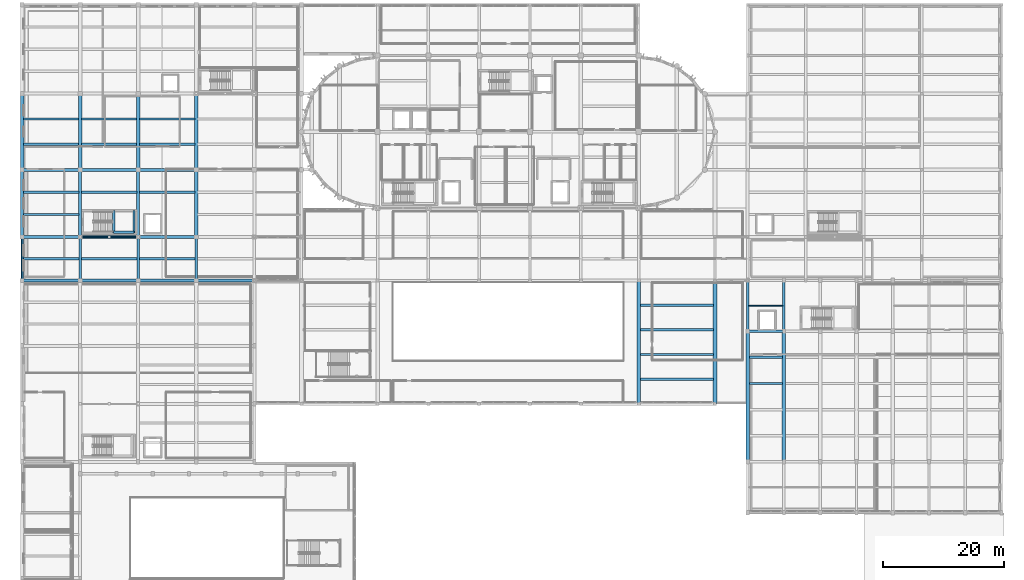
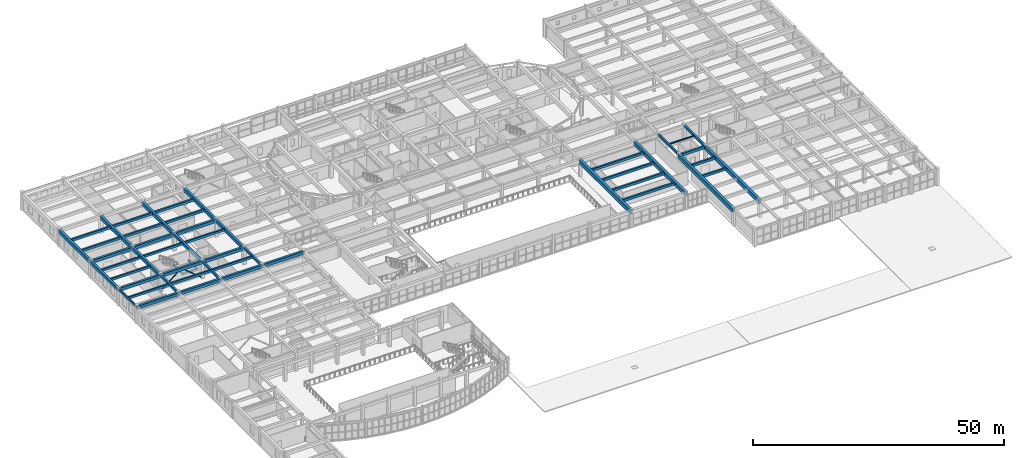
# One storey, part 23 of 92: 52 beams, 2 members.
"""IFC4 building model written with IfcOpenShell, lengths in metres."""

from ifc_helpers import new_model, si_unit, direction, frame, origin, origin_2d, place, context, subcontext, project, spatial, rectangle, hollow_rectangle, i_section, extrude, material, material_profile, profile_set, type_object, element, save


model = new_model("IFC4")

# Units and contexts
model_context = context("Model", 3, precision=1e-05, world=origin(), true_north=direction((0.0, 1.0)))
body_context = subcontext(model_context, "Body", "Model", "MODEL_VIEW")
ifc_project = project(units=[si_unit("LENGTHUNIT", "METRE"), si_unit("AREAUNIT", "SQUARE_METRE"), si_unit("VOLUMEUNIT", "CUBIC_METRE"), si_unit("PLANEANGLEUNIT", "RADIAN"), si_unit("MASSUNIT", "GRAM", prefix="KILO")], contexts=[model_context])

# Site, building, storey
site_placement = place(None, origin())
site = spatial("IfcSite", under=ifc_project, at=site_placement, CompositionType="ELEMENT")
building_placement = place(site_placement, origin())
building = spatial("IfcBuilding", under=site, at=building_placement, Name="Tarnavel Promenade Courthouse", CompositionType="ELEMENT")
storey_placement = place(building_placement, frame((0.0, 0.0, 5.39990234375)))
storey = spatial("IfcBuildingStorey", under=building, at=storey_placement, Name="L02", CompositionType="ELEMENT", Elevation=5.39990234375)

# Beams
ifc_material_1 = material(Name="Concrete C40/50", Category="concrete")
ifc_material_profile_1 = material_profile(ifc_material_1, rectangle(XDim=0.35009765625, YDim=0.550048828125, at=origin_2d()), Name="PT 350x550")
ifc_profile_set_1 = profile_set([ifc_material_profile_1], Name="Concrete C40/50")
beam_type_1 = type_object("IfcBeamType", Name="Concrete C40/50 BM-PT-350x550 (PT 350x550)", PredefinedType="JOIST", material=ifc_profile_set_1)
beam_1_placement = place(storey_placement, frame((0.1201171875, 70.800048828125, 3.920166015625), z_axis=(1.0, 0.0, 0.0), x_axis=(0.0, 1.0, 0.0)))
element("IfcBeam", 1, at=beam_1_placement, inside=storey, type_object=beam_type_1, Name="L02 Secondary Floor Rib 1390", PredefinedType="JOIST", context=body_context, shape_type="SweptSolid", body=[
    extrude(rectangle(XDim=0.35009765625, YDim=0.550048828125, at=origin_2d()), origin(), (0.0, 0.0, 1.0), 9.309814453125),
])
beam_2_placement = place(storey_placement, frame((9.77001953125, 70.800048828125, 3.920166015625), z_axis=(1.0, 0.0, 0.0), x_axis=(0.0, 1.0, 0.0)))
element("IfcBeam", 2, at=beam_2_placement, inside=storey, type_object=beam_type_1, Name="L02 Secondary Floor Rib 1391", PredefinedType="JOIST", context=body_context, shape_type="SweptSolid", body=[
    extrude(rectangle(XDim=0.35009765625, YDim=0.550048828125, at=origin_2d()), origin(), (0.0, 0.0, 1.0), 9.260009765625),
])
beam_3_placement = place(storey_placement, frame((19.3701171875, 70.800048828125, 3.920166015625), z_axis=(1.0, 0.0, 0.0), x_axis=(0.0, 1.0, 0.0)))
element("IfcBeam", 3, at=beam_3_placement, inside=storey, type_object=beam_type_1, Name="L02 Secondary Floor Rib 1392", PredefinedType="JOIST", context=body_context, shape_type="SweptSolid", body=[
    extrude(rectangle(XDim=0.35009765625, YDim=0.550048828125, at=origin_2d()), origin(), (0.0, 0.0, 1.0), 9.259765625),
])
for number, where, z_axis, x_axis, name in (
    (4, (0.219970703125, 78.10009765625, 3.920166015625), (1.0, 0.0, 0.0), (0.0, 1.0, 0.0), "L02 Secondary Floor Rib 1407"),
    (5, (0.219970703125, 81.800048828125, 3.920166015625), (1.0, 0.0, 0.0), (0.0, 1.0, 0.0), "L02 Secondary Floor Rib 1408"),
    (6, (9.820068359375, 81.800048828125, 3.920166015625), (1.0, 0.0, 0.0), (0.0, 1.0, 0.0), "L02 Secondary Floor Rib 1409"),
):
    element("IfcBeam", number, at=place(storey_placement, frame(where, z_axis=z_axis, x_axis=x_axis)), inside=storey, type_object=beam_type_1, Name=name, PredefinedType="JOIST", context=body_context, shape_type="SweptSolid", body=[
        extrude(rectangle(XDim=0.35009765625, YDim=0.550048828125, at=origin_2d()), origin(), (0.0, 0.0, 1.0), 9.159912109375),
    ])
beam_4_placement = place(storey_placement, frame((19.419921875, 81.800048828125, 3.920166015625), z_axis=(1.0, 0.0, 0.0), x_axis=(0.0, 1.0, 0.0)))
element("IfcBeam", 7, at=beam_4_placement, inside=storey, type_object=beam_type_1, Name="L02 Secondary Floor Rib 1410", PredefinedType="JOIST", context=body_context, shape_type="SweptSolid", body=[
    extrude(rectangle(XDim=0.35009765625, YDim=0.550048828125, at=origin_2d()), origin(), (0.0, 0.0, 1.0), 9.16015625),
])
ifc_material_profile_2 = material_profile(ifc_material_1, rectangle(XDim=0.39990234375, YDim=0.60009765625, at=origin_2d()), Name="PT 400x600")
ifc_profile_set_2 = profile_set([ifc_material_profile_2], Name="Concrete C40/50")
beam_type_2 = type_object("IfcBeamType", Name="Concrete C40/50 BM-PT-400x600 (PT 400x600)", PredefinedType="JOIST", material=ifc_profile_set_2)
for number, where, z_axis, x_axis, name in (
    (8, (0.2451171875, 89.699951171875, 3.89501953125), (1.0, 0.0, 0.0), (0.0, 1.0, 0.0), "L02 Secondary Floor Rib 1422"),
    (9, (0.2451171875, 93.89990234375, 3.89501953125), (1.0, 0.0, 0.0), (0.0, 1.0, 0.0), "L02 Secondary Floor Rib 1423"),
):
    element("IfcBeam", number, at=place(storey_placement, frame(where, z_axis=z_axis, x_axis=x_axis)), inside=storey, type_object=beam_type_2, Name=name, PredefinedType="JOIST", context=body_context, shape_type="SweptSolid", body=[
        extrude(rectangle(XDim=0.39990234375, YDim=0.60009765625, at=origin_2d()), origin(), (0.0, 0.0, 1.0), 9.10986328125),
    ])
for number, where, z_axis, x_axis, name in (
    (10, (9.844970703125, 89.699951171875, 3.89501953125), (1.0, 0.0, 0.0), (0.0, 1.0, 0.0), "L02 Secondary Floor Rib 1424"),
    (11, (9.844970703125, 93.89990234375, 3.89501953125), (1.0, 0.0, 0.0), (0.0, 1.0, 0.0), "L02 Secondary Floor Rib 1425"),
):
    element("IfcBeam", number, at=place(storey_placement, frame(where, z_axis=z_axis, x_axis=x_axis)), inside=storey, type_object=beam_type_2, Name=name, PredefinedType="JOIST", context=body_context, shape_type="SweptSolid", body=[
        extrude(rectangle(XDim=0.39990234375, YDim=0.60009765625, at=origin_2d()), origin(), (0.0, 0.0, 1.0), 9.110107421875),
    ])
for number, where, z_axis, x_axis, name in (
    (12, (19.445068359375, 89.699951171875, 3.89501953125), (1.0, 0.0, 0.0), (0.0, 1.0, 0.0), "L02 Secondary Floor Rib 1426"),
    (13, (19.445068359375, 93.89990234375, 3.89501953125), (1.0, 0.0, 0.0), (0.0, 1.0, 0.0), "L02 Secondary Floor Rib 1427"),
):
    element("IfcBeam", number, at=place(storey_placement, frame(where, z_axis=z_axis, x_axis=x_axis)), inside=storey, type_object=beam_type_2, Name=name, PredefinedType="JOIST", context=body_context, shape_type="SweptSolid", body=[
        extrude(rectangle(XDim=0.39990234375, YDim=0.60009765625, at=origin_2d()), origin(), (0.0, 0.0, 1.0), 9.10986328125),
    ])
for number, where, z_axis, x_axis, name in (
    (14, (102.27001953125, 50.8798828125, 3.89501953125), (1.0, 0.0, 0.0), (0.0, 1.0, 0.0), "L02 Secondary Floor Rib 1457"),
    (15, (102.27001953125, 54.9599609375, 3.89501953125), (1.0, 0.0, 0.0), (0.0, 1.0, 0.0), "L02 Secondary Floor Rib 1458"),
    (16, (102.27001953125, 59.0400390625, 3.89501953125), (1.0, 0.0, 0.0), (0.0, 1.0, 0.0), "L02 Secondary Floor Rib 1459"),
    (17, (102.27001953125, 63.1201171875, 3.89501953125), (1.0, 0.0, 0.0), (0.0, 1.0, 0.0), "L02 Secondary Floor Rib 1460"),
):
    element("IfcBeam", number, at=place(storey_placement, frame(where, z_axis=z_axis, x_axis=x_axis)), inside=storey, type_object=beam_type_2, Name=name, PredefinedType="JOIST", context=body_context, shape_type="SweptSolid", body=[
        extrude(rectangle(XDim=0.39990234375, YDim=0.60009765625, at=origin_2d()), origin(), (0.0, 0.0, 1.0), 12.06005859375),
    ])
for number, where, z_axis, x_axis, name in (
    (18, (120.27001953125, 50.159912109375, 3.93505859375), (1.0, 0.0, 0.0), (0.0, 1.0, 0.0), "L02 Secondary Floor Rib 1481"),
    (19, (120.27001953125, 54.47998046875, 3.93505859375), (1.0, 0.0, 0.0), (0.0, 1.0, 0.0), "L02 Secondary Floor Rib 1482"),
):
    element("IfcBeam", number, at=place(storey_placement, frame(where, z_axis=z_axis, x_axis=x_axis)), inside=storey, type_object=beam_type_2, Name=name, PredefinedType="JOIST", context=body_context, shape_type="SweptSolid", body=[
        extrude(rectangle(XDim=0.39990234375, YDim=0.60009765625, at=origin_2d()), origin(), (0.0, 0.0, 1.0), 5.4599609375),
    ])
ifc_material_profile_3 = material_profile(ifc_material_1, rectangle(XDim=0.5, YDim=0.800048828125, at=origin_2d()), Name="PT 500x800")
ifc_profile_set_3 = profile_set([ifc_material_profile_3], Name="Concrete C40/50")
beam_type_3 = type_object("IfcBeamType", Name="Concrete C40/50 BM-PT-500x800 (PT 500x800)", PredefinedType="T_BEAM", material=ifc_profile_set_3)
for number, where, z_axis, x_axis, name in (
    (20, (0.0, 74.39990234375, 3.795166015625), (0.0, 1.0, 0.0), (-1.0, 0.0, 0.0), "L02 Transverse Girder 1233"),
    (21, (9.60009765625, 74.39990234375, 3.795166015625), (0.0, 1.0, 0.0), (-1.0, 0.0, 0.0), "L02 Transverse Girder 1245"),
    (22, (19.199951171875, 74.39990234375, 3.795166015625), (0.0, 1.0, 0.0), (-1.0, 0.0, 0.0), "L02 Transverse Girder 1252"),
    (23, (28.800048828125, 74.39990234375, 3.795166015625), (0.0, 1.0, 0.0), (-1.0, 0.0, 0.0), "L02 Transverse Girder 1259"),
):
    element("IfcBeam", number, at=place(storey_placement, frame(where, z_axis=z_axis, x_axis=x_axis)), inside=storey, type_object=beam_type_3, Name=name, PredefinedType="T_BEAM", context=body_context, shape_type="SweptSolid", body=[
        extrude(rectangle(XDim=0.5, YDim=0.800048828125, at=origin_2d()), origin(), (0.0, 0.0, 1.0), 11.10009765625),
    ])
ifc_material_profile_4 = material_profile(ifc_material_1, rectangle(XDim=0.550048828125, YDim=0.85009765625, at=origin_2d()), Name="PT 550x850")
ifc_profile_set_4 = profile_set([ifc_material_profile_4], Name="Concrete C40/50")
beam_type_4 = type_object("IfcBeamType", Name="Concrete C40/50 BM-PT-550x850 (PT 550x850)", PredefinedType="T_BEAM", material=ifc_profile_set_4)
for number, where, z_axis, x_axis, name in (
    (24, (0.0, 85.5, 3.77001953125), (0.0, 1.0, 0.0), (-1.0, 0.0, 0.0), "L02 Transverse Girder 1234"),
    (25, (9.60009765625, 85.5, 3.77001953125), (0.0, 1.0, 0.0), (-1.0, 0.0, 0.0), "L02 Transverse Girder 1246"),
    (26, (19.199951171875, 85.5, 3.77001953125), (0.0, 1.0, 0.0), (-1.0, 0.0, 0.0), "L02 Transverse Girder 1253"),
    (27, (28.800048828125, 85.5, 3.77001953125), (0.0, 1.0, 0.0), (-1.0, 0.0, 0.0), "L02 Transverse Girder 1260"),
):
    element("IfcBeam", number, at=place(storey_placement, frame(where, z_axis=z_axis, x_axis=x_axis)), inside=storey, type_object=beam_type_4, Name=name, PredefinedType="T_BEAM", context=body_context, shape_type="SweptSolid", body=[
        extrude(rectangle(XDim=0.550048828125, YDim=0.85009765625, at=origin_2d()), origin(), (0.0, 0.0, 1.0), 12.60009765625),
    ])
ifc_material_profile_5 = material_profile(ifc_material_1, rectangle(XDim=0.60009765625, YDim=0.949951171875, at=origin_2d()), Name="PT 600x950")
ifc_profile_set_5 = profile_set([ifc_material_profile_5], Name="Concrete C40/50")
beam_type_5 = type_object("IfcBeamType", Name="Concrete C40/50 BM-PT-600x950 (PT 600x950)", PredefinedType="T_BEAM", material=ifc_profile_set_5)
for number, where, z_axis, x_axis, name in (
    (28, (102.0, 46.800048828125, 3.72021484375), (0.0, 1.0, 0.0), (-1.0, 0.0, 0.0), "L02 Transverse Girder 1304"),
    (29, (114.60009765625, 46.800048828125, 3.72021484375), (0.0, 1.0, 0.0), (-1.0, 0.0, 0.0), "L02 Transverse Girder 1312"),
):
    element("IfcBeam", number, at=place(storey_placement, frame(where, z_axis=z_axis, x_axis=x_axis)), inside=storey, type_object=beam_type_5, Name=name, PredefinedType="T_BEAM", context=body_context, shape_type="SweptSolid", body=[
        extrude(rectangle(XDim=0.60009765625, YDim=0.949951171875, at=origin_2d()), origin(), (0.0, 0.0, 1.0), 20.39990234375),
    ])
for number, where, z_axis, x_axis, name in (
    (30, (120.0, 37.199951171875, 3.72021484375), (0.0, 1.0, 0.0), (-1.0, 0.0, 0.0), "L02 Transverse Girder 1316"),
    (31, (126.0, 37.199951171875, 3.760009765625), (0.0, 1.0, 0.0), (-1.0, 0.0, 0.0), "L02 Transverse Girder 1324"),
):
    element("IfcBeam", number, at=place(storey_placement, frame(where, z_axis=z_axis, x_axis=x_axis)), inside=storey, type_object=beam_type_5, Name=name, PredefinedType="T_BEAM", context=body_context, shape_type="SweptSolid", body=[
        extrude(rectangle(XDim=0.60009765625, YDim=0.949951171875, at=origin_2d()), origin(), (0.0, 0.0, 1.0), 21.60009765625),
    ])
ifc_material_profile_6 = material_profile(ifc_material_1, rectangle(XDim=0.35009765625, YDim=0.449951171875, at=origin_2d()), Name="RC 350x450")
ifc_profile_set_6 = profile_set([ifc_material_profile_6], Name="Concrete C40/50")
beam_type_6 = type_object("IfcBeamType", Name="Concrete C40/50 BM-RC-350x450 (RC 350x450)", PredefinedType="BEAM", material=ifc_profile_set_6)
for number, where, z_axis, x_axis, name in (
    (32, (15.14990234375, 75.02001953125, 1.820068359375), (0.0, 1.0, 0.0), (-1.0, 0.0, 0.0), "L02 ST-04 Mid-Landing Support Beam Near"),
    (33, (18.52001953125, 75.02001953125, 1.820068359375), (0.0, 1.0, 0.0), (-1.0, 0.0, 0.0), "L02 ST-04 Mid-Landing Support Beam Far"),
):
    element("IfcBeam", number, at=place(storey_placement, frame(where, z_axis=z_axis, x_axis=x_axis)), inside=storey, type_object=beam_type_6, Name=name, PredefinedType="BEAM", context=body_context, shape_type="SweptSolid", body=[
        extrude(rectangle(XDim=0.35009765625, YDim=0.449951171875, at=origin_2d()), origin(), (0.0, 0.0, 1.0), 3.719970703125),
    ])
beam_5_placement = place(storey_placement, frame((15.14990234375, 75.169921875, 1.820068359375), z_axis=(1.0, 0.0, 0.0), x_axis=(0.0, 1.0, 0.0)))
element("IfcBeam", 34, at=beam_5_placement, inside=storey, type_object=beam_type_6, Name="L02 ST-04 Mid-Landing Edge Trimmer", PredefinedType="BEAM", context=body_context, shape_type="SweptSolid", body=[
    extrude(rectangle(XDim=0.35009765625, YDim=0.449951171875, at=origin_2d()), origin(), (0.0, 0.0, 1.0), 3.3701171875),
])
ifc_material_profile_7 = material_profile(ifc_material_1, rectangle(XDim=0.39990234375, YDim=0.5, at=origin_2d()), Name="RC 400x500")
ifc_profile_set_7 = profile_set([ifc_material_profile_7], Name="Concrete C40/50")
beam_type_7 = type_object("IfcBeamType", Name="Concrete C40/50 BM-RC-400x500 (RC 400x500)", PredefinedType="BEAM", material=ifc_profile_set_7)
for number, where, z_axis, x_axis, name in (
    (35, (9.60009765625, 67.199951171875, 3.945068359375), (0.0, 1.0, 0.0), (-1.0, 0.0, 0.0), "L02 Transverse Girder 1244"),
    (36, (19.199951171875, 67.199951171875, 3.945068359375), (0.0, 1.0, 0.0), (-1.0, 0.0, 0.0), "L02 Transverse Girder 1251"),
    (37, (28.800048828125, 67.199951171875, 3.945068359375), (0.0, 1.0, 0.0), (-1.0, 0.0, 0.0), "L02 Transverse Girder 1258"),
):
    element("IfcBeam", number, at=place(storey_placement, frame(where, z_axis=z_axis, x_axis=x_axis)), inside=storey, type_object=beam_type_7, Name=name, PredefinedType="BEAM", context=body_context, shape_type="SweptSolid", body=[
        extrude(rectangle(XDim=0.39990234375, YDim=0.5, at=origin_2d()), origin(), (0.0, 0.0, 1.0), 7.199951171875),
    ])
for number, where, z_axis, x_axis, name in (
    (38, (120.0, 58.800048828125, 3.945068359375), (0.0, 1.0, 0.0), (-1.0, 0.0, 0.0), "L02 Transverse Girder 1317"),
    (39, (126.0, 58.800048828125, 3.985107421875), (0.0, 1.0, 0.0), (-1.0, 0.0, 0.0), "L02 Transverse Girder 1325"),
):
    element("IfcBeam", number, at=place(storey_placement, frame(where, z_axis=z_axis, x_axis=x_axis)), inside=storey, type_object=beam_type_7, Name=name, PredefinedType="BEAM", context=body_context, shape_type="SweptSolid", body=[
        extrude(rectangle(XDim=0.39990234375, YDim=0.5, at=origin_2d()), origin(), (0.0, 0.0, 1.0), 8.39990234375),
    ])
ifc_material_profile_8 = material_profile(ifc_material_1, rectangle(XDim=0.39990234375, YDim=0.64990234375, at=origin_2d()), Name="RC 400x650")
ifc_profile_set_8 = profile_set([ifc_material_profile_8], Name="Concrete C40/50")
beam_type_8 = type_object("IfcBeamType", Name="Concrete C40/50 BM-RC-400x650 (RC 400x650)", PredefinedType="BEAM", material=ifc_profile_set_8)
beam_6_placement = place(storey_placement, frame((120.0, 58.800048828125, 3.91015625), z_axis=(1.0, 0.0, 0.0), x_axis=(0.0, 1.0, 0.0)))
element("IfcBeam", 40, at=beam_6_placement, inside=storey, type_object=beam_type_8, Name="L02 Primary Longitudinal Beam 1120", PredefinedType="BEAM", context=body_context, shape_type="SweptSolid", body=[
    extrude(rectangle(XDim=0.39990234375, YDim=0.64990234375, at=origin_2d()), origin(), (0.0, 0.0, 1.0), 6.0),
])
ifc_material_profile_9 = material_profile(ifc_material_1, rectangle(XDim=0.5, YDim=0.75, at=origin_2d()), Name="RC 500x750")
ifc_profile_set_9 = profile_set([ifc_material_profile_9], Name="Concrete C40/50")
beam_type_9 = type_object("IfcBeamType", Name="Concrete C40/50 BM-RC-500x750 (RC 500x750)", PredefinedType="T_BEAM", material=ifc_profile_set_9)
beam_7_placement = place(storey_placement, frame((0.0, 67.199951171875, 3.820068359375), z_axis=(1.0, 0.0, 0.0), x_axis=(0.0, 1.0, 0.0)))
element("IfcBeam", 41, at=beam_7_placement, inside=storey, type_object=beam_type_9, Name="L02 Primary Longitudinal Beam 1127", PredefinedType="T_BEAM", context=body_context, shape_type="SweptSolid", body=[
    extrude(rectangle(XDim=0.5, YDim=0.75, at=origin_2d()), origin(), (0.0, 0.0, 1.0), 9.60009765625),
])
beam_8_placement = place(storey_placement, frame((9.60009765625, 67.199951171875, 3.820068359375), z_axis=(1.0, 0.0, 0.0), x_axis=(0.0, 1.0, 0.0)))
element("IfcBeam", 42, at=beam_8_placement, inside=storey, type_object=beam_type_9, Name="L02 Primary Longitudinal Beam 1128", PredefinedType="T_BEAM", context=body_context, shape_type="SweptSolid", body=[
    extrude(rectangle(XDim=0.5, YDim=0.75, at=origin_2d()), origin(), (0.0, 0.0, 1.0), 9.599853515625),
])
beam_9_placement = place(storey_placement, frame((19.199951171875, 67.199951171875, 3.820068359375), z_axis=(1.0, 0.0, 0.0), x_axis=(0.0, 1.0, 0.0)))
element("IfcBeam", 43, at=beam_9_placement, inside=storey, type_object=beam_type_9, Name="L02 Primary Longitudinal Beam 1129", PredefinedType="T_BEAM", context=body_context, shape_type="SweptSolid", body=[
    extrude(rectangle(XDim=0.5, YDim=0.75, at=origin_2d()), origin(), (0.0, 0.0, 1.0), 9.60009765625),
])
beam_10_placement = place(storey_placement, frame((28.800048828125, 67.199951171875, 3.820068359375), z_axis=(1.0, 0.0, 0.0), x_axis=(0.0, 1.0, 0.0)))
element("IfcBeam", 44, at=beam_10_placement, inside=storey, type_object=beam_type_9, Name="L02 Primary Longitudinal Beam 1130", PredefinedType="T_BEAM", context=body_context, shape_type="SweptSolid", body=[
    extrude(rectangle(XDim=0.5, YDim=0.75, at=origin_2d()), origin(), (0.0, 0.0, 1.0), 9.599853515625),
])
beam_11_placement = place(storey_placement, frame((0.0, 74.39990234375, 3.820068359375), z_axis=(1.0, 0.0, 0.0), x_axis=(0.0, 1.0, 0.0)))
element("IfcBeam", 45, at=beam_11_placement, inside=storey, type_object=beam_type_9, Name="L02 Primary Longitudinal Beam 1150", PredefinedType="T_BEAM", context=body_context, shape_type="SweptSolid", body=[
    extrude(rectangle(XDim=0.5, YDim=0.75, at=origin_2d()), origin(), (0.0, 0.0, 1.0), 9.60009765625),
])
beam_12_placement = place(storey_placement, frame((9.60009765625, 74.39990234375, 3.820068359375), z_axis=(1.0, 0.0, 0.0), x_axis=(0.0, 1.0, 0.0)))
element("IfcBeam", 46, at=beam_12_placement, inside=storey, type_object=beam_type_9, Name="L02 Primary Longitudinal Beam 1151", PredefinedType="T_BEAM", context=body_context, shape_type="SweptSolid", body=[
    extrude(rectangle(XDim=0.5, YDim=0.75, at=origin_2d()), origin(), (0.0, 0.0, 1.0), 9.599853515625),
])
for number, where, z_axis, x_axis, name in (
    (47, (19.199951171875, 74.39990234375, 3.820068359375), (1.0, 0.0, 0.0), (0.0, 1.0, 0.0), "L02 Primary Longitudinal Beam 1152"),
    (48, (0.0, 85.5, 3.820068359375), (1.0, 0.0, 0.0), (0.0, 1.0, 0.0), "L02 Primary Longitudinal Beam 1172"),
):
    element("IfcBeam", number, at=place(storey_placement, frame(where, z_axis=z_axis, x_axis=x_axis)), inside=storey, type_object=beam_type_9, Name=name, PredefinedType="T_BEAM", context=body_context, shape_type="SweptSolid", body=[
        extrude(rectangle(XDim=0.5, YDim=0.75, at=origin_2d()), origin(), (0.0, 0.0, 1.0), 9.60009765625),
    ])
beam_13_placement = place(storey_placement, frame((9.60009765625, 85.5, 3.820068359375), z_axis=(1.0, 0.0, 0.0), x_axis=(0.0, 1.0, 0.0)))
element("IfcBeam", 49, at=beam_13_placement, inside=storey, type_object=beam_type_9, Name="L02 Primary Longitudinal Beam 1173", PredefinedType="T_BEAM", context=body_context, shape_type="SweptSolid", body=[
    extrude(rectangle(XDim=0.5, YDim=0.75, at=origin_2d()), origin(), (0.0, 0.0, 1.0), 9.599853515625),
])
beam_14_placement = place(storey_placement, frame((19.199951171875, 85.5, 3.820068359375), z_axis=(1.0, 0.0, 0.0), x_axis=(0.0, 1.0, 0.0)))
element("IfcBeam", 50, at=beam_14_placement, inside=storey, type_object=beam_type_9, Name="L02 Primary Longitudinal Beam 1174", PredefinedType="T_BEAM", context=body_context, shape_type="SweptSolid", body=[
    extrude(rectangle(XDim=0.5, YDim=0.75, at=origin_2d()), origin(), (0.0, 0.0, 1.0), 9.60009765625),
])
ifc_material_profile_10 = material_profile(ifc_material_1, rectangle(XDim=0.300048828125, YDim=0.5, at=origin_2d()), Name="RC 300x500")
ifc_profile_set_10 = profile_set([ifc_material_profile_10], Name="Concrete C40/50")
beam_type_10 = type_object("IfcBeamType", Name="Concrete C40/50 BM-SP-300x500 (RC 300x500)", PredefinedType="SPANDREL", material=ifc_profile_set_10)
beam_15_placement = place(storey_placement, frame((0.0, 67.199951171875, 3.945068359375), z_axis=(0.0, 1.0, 0.0), x_axis=(-1.0, 0.0, 0.0)))
element("IfcBeam", 51, at=beam_15_placement, inside=storey, type_object=beam_type_10, Name="L02 Transverse Girder 1232", PredefinedType="SPANDREL", context=body_context, shape_type="SweptSolid", body=[
    extrude(rectangle(XDim=0.300048828125, YDim=0.5, at=origin_2d()), origin(), (0.0, 0.0, 1.0), 7.199951171875),
])
ifc_material_2 = material(Name="Steel S355J2", Category="steel")
ifc_material_profile_11 = material_profile(ifc_material_2, i_section(OverallWidth=0.159912109375, OverallDepth=0.330078125, WebThickness=0.007568359375, FlangeThickness=0.011474609375, FilletRadius=0.01806640625, at=origin_2d()), Name="IPE 330")
ifc_profile_set_11 = profile_set([ifc_material_profile_11], Name="Steel S355J2")
beam_type_11 = type_object("IfcBeamType", Name="Steel S355J2 BM-ST-IPE330 (IPE 330)", PredefinedType="JOIST", material=ifc_profile_set_11)
beam_16_placement = place(storey_placement, frame((120.169921875, 63.0, 4.070068359375), z_axis=(1.0, 0.0, 0.0), x_axis=(0.0, 1.0, 0.0)))
element("IfcBeam", 52, at=beam_16_placement, inside=storey, type_object=beam_type_11, Name="L02 Secondary Floor Rib 1507", PredefinedType="JOIST", context=body_context, shape_type="SweptSolid", body=[
    extrude(i_section(OverallWidth=0.159912109375, OverallDepth=0.330078125, WebThickness=0.007568359375, FlangeThickness=0.011474609375, FilletRadius=0.01806640625, at=origin_2d()), origin(), (0.0, 0.0, 1.0), 5.66015625),
])

# Members
ifc_material_profile_12 = material_profile(ifc_material_2, hollow_rectangle(XDim=0.199951171875, YDim=0.199951171875, WallThickness=0.012451171875, InnerFilletRadius=0.012451171875, OuterFilletRadius=0.02490234375, at=origin_2d()), Name="SHS 200x200x12.5")
ifc_profile_set_12 = profile_set([ifc_material_profile_12], Name="Steel S355J2")
member_type = type_object("IfcMemberType", Name="Steel S355J2 MEM-BR-SHS200 (SHS 200x200x12.5)", PredefinedType="BRACE", material=ifc_profile_set_12)
for number, where, z_axis, x_axis, name in (
    (53, (9.60009765625, 74.39990234375, 0.0), (0.772538993723, 0.0, 0.634967324495), (0.0, 1.0, 0.0), "L02 V2 Chevron Brace A 030"),
    (54, (19.199951171875, 74.39990234375, 0.0), (-0.772554836083, 0.0, 0.634948049248), (0.0, -1.0, 0.0), "L02 V2 Chevron Brace B 030"),
):
    element("IfcMember", number, at=place(storey_placement, frame(where, z_axis=z_axis, x_axis=x_axis)), inside=storey, type_object=member_type, Name=name, PredefinedType="BRACE", context=body_context, shape_type="SweptSolid", body=[
        extrude(hollow_rectangle(XDim=0.199951171875, YDim=0.199951171875, WallThickness=0.012451171875, InnerFilletRadius=0.012451171875, OuterFilletRadius=0.02490234375, at=origin_2d()), origin(), (0.0, 0.0, 1.0), 6.213134765625),
    ])

save(model, "model.ifc")
